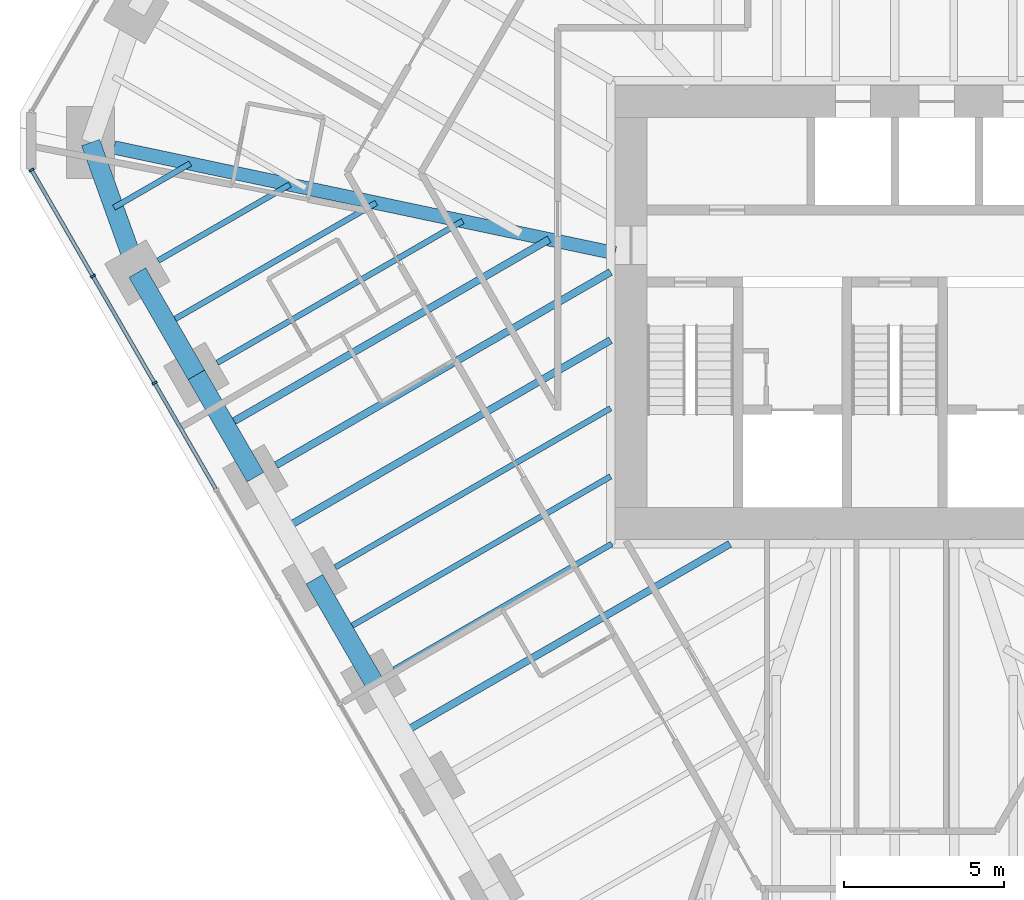
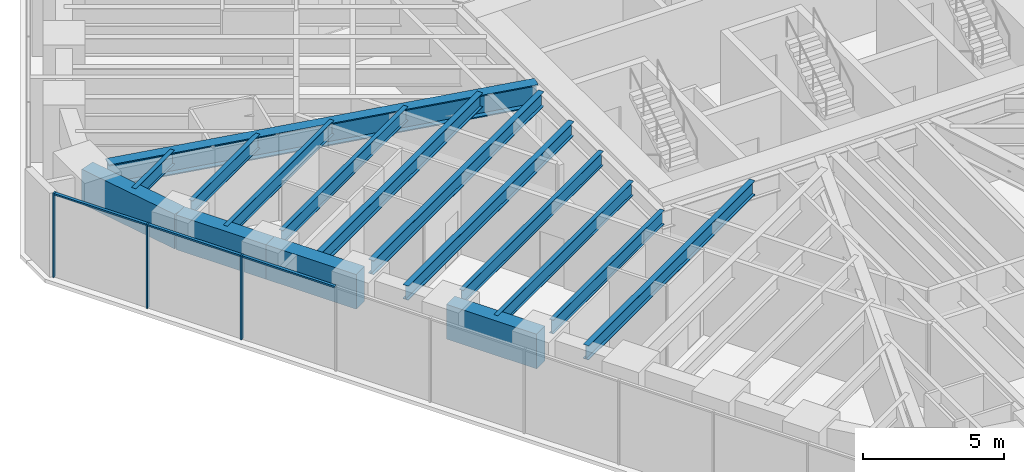
# One storey, part 3 of 16: 16 beams, 6 members, 1 element without a shape of its own.
"""IFC4 building model written with IfcOpenShell, lengths in metres."""

from ifc_helpers import new_model, si_unit, direction, frame, origin, origin_2d, place, context, subcontext, project, spatial, rectangle, i_section, extrude, material, material_profile, profile_set, type_object, element, aggregate, save


model = new_model("IFC4")

# Units and contexts
model_context = context("Model", 3, precision=1e-05, world=origin(), true_north=direction((0.0, 1.0)))
body_context = subcontext(model_context, "Body", "Model", "MODEL_VIEW")
ifc_project = project(units=[si_unit("LENGTHUNIT", "METRE"), si_unit("AREAUNIT", "SQUARE_METRE"), si_unit("VOLUMEUNIT", "CUBIC_METRE"), si_unit("PLANEANGLEUNIT", "RADIAN"), si_unit("MASSUNIT", "GRAM", prefix="KILO")], contexts=[model_context])

# Site, building, storey
site_placement = place(None, origin())
site = spatial("IfcSite", under=ifc_project, at=site_placement, CompositionType="ELEMENT")
building_placement = place(site_placement, origin())
building = spatial("IfcBuilding", under=site, at=building_placement, Name="Sandreach Pilgrim Tower", CompositionType="ELEMENT")
storey_placement = place(building_placement, frame((0.0, 0.0, 225.0)))
storey = spatial("IfcBuildingStorey", under=building, at=storey_placement, Name="L56", CompositionType="ELEMENT", Elevation=225.0)

# Curtain wall, members
ifc_material_1 = material(Name="Aluminium framed curtain wall", Category="aluminium")
curtain_wall_type = type_object("IfcCurtainWallType", Name="Upper hotel tower curtain wall", PredefinedType="NOTDEFINED", material=ifc_material_1)
curtain_wall_placement = place(storey_placement, origin())
curtain_wall = element("IfcCurtainWall", 1, at=curtain_wall_placement, inside=storey, type_object=curtain_wall_type, Name="CW-3 L56 SW", PredefinedType="NOTDEFINED")
ifc_material_2 = material(Name="Aluminium extrusion", Category="aluminium")
ifc_material_profile_1 = material_profile(ifc_material_2, rectangle(XDim=0.06494140625, YDim=0.159912109375, at=origin_2d()), Name="CW-3M 65X160")
ifc_profile_set_1 = profile_set([ifc_material_profile_1], Name="Aluminium extrusion")
member_type_1 = type_object("IfcMemberType", Name="CW-3 mullion", PredefinedType="MULLION", material=ifc_profile_set_1)
member_1_placement = place(storey_placement, frame((-23.15576171875, -2.21337890625, 0.0), z_axis=(0.0, 0.0, 1.0), x_axis=(-0.5, 0.866025403784, 0.0)))
member_1 = element("IfcMember", 2, at=member_1_placement, type_object=member_type_1, Name="CW-3 mullion 8", PredefinedType="MULLION", context=body_context, shape_type="SweptSolid", body=[
    extrude(rectangle(XDim=0.06494140625, YDim=0.159912109375, at=origin_2d()), origin(), (0.0, 0.0, 1.0), 3.639892578125),
])
member_2_placement = place(storey_placement, frame((-25.087890625, 1.13330078125, 0.0), z_axis=(0.0, 0.0, 1.0), x_axis=(-0.5, 0.866025403784, 0.0)))
member_2 = element("IfcMember", 3, at=member_2_placement, type_object=member_type_1, Name="CW-3 mullion 9", PredefinedType="MULLION", context=body_context, shape_type="SweptSolid", body=[
    extrude(rectangle(XDim=0.06494140625, YDim=0.159912109375, at=origin_2d()), origin(), (0.0, 0.0, 1.0), 3.639892578125),
])
member_3_placement = place(storey_placement, frame((-27.00390625, 4.451904296875, 0.0), z_axis=(0.0, 0.0, 1.0), x_axis=(-0.5, 0.866025403784, 0.0)))
member_3 = element("IfcMember", 4, at=member_3_placement, type_object=member_type_1, Name="CW-3 mullion 10", PredefinedType="MULLION", context=body_context, shape_type="SweptSolid", body=[
    extrude(rectangle(XDim=0.06494140625, YDim=0.159912109375, at=origin_2d()), origin(), (0.0, 0.0, 1.0), 3.639892578125),
])
ifc_material_3 = material(Name="Aluminium extrusion", Category="aluminium")
ifc_material_profile_2 = material_profile(ifc_material_3, rectangle(XDim=0.1201171875, YDim=0.070068359375, at=origin_2d()), Name="CW-3T 120X70")
ifc_profile_set_2 = profile_set([ifc_material_profile_2], Name="Aluminium extrusion")
member_type_2 = type_object("IfcMemberType", Name="CW-3 transom", PredefinedType="USERDEFINED", material=ifc_profile_set_2)
member_4_placement = place(storey_placement, frame((-21.23974609375, -5.531982421875, 3.60498046875), z_axis=(-0.499974606132, 0.866040064445, 0.0), x_axis=(-0.866040064445, -0.499974606132, 0.0)))
member_4 = element("IfcMember", 5, at=member_4_placement, type_object=member_type_2, Name="CW-3 head transom 7", ObjectType="TRANSOM", PredefinedType="USERDEFINED", context=body_context, shape_type="SweptSolid", body=[
    extrude(rectangle(XDim=0.1201171875, YDim=0.070068359375, at=origin_2d()), origin(), (0.0, 0.0, 1.0), 3.799560546875),
])
member_5_placement = place(storey_placement, frame((-23.171875, -2.185302734375, 3.60498046875), z_axis=(-0.500022797313, 0.86601224135, 0.0), x_axis=(-0.86601224135, -0.500022797313, 0.0)))
member_5 = element("IfcMember", 6, at=member_5_placement, type_object=member_type_2, Name="CW-3 head transom 8", ObjectType="TRANSOM", PredefinedType="USERDEFINED", context=body_context, shape_type="SweptSolid", body=[
    extrude(rectangle(XDim=0.1201171875, YDim=0.070068359375, at=origin_2d()), origin(), (0.0, 0.0, 1.0), 3.799560546875),
])
member_6_placement = place(storey_placement, frame((-25.104248046875, 1.161376953125, 3.60498046875), z_axis=(-0.499944992379, 0.86605716012, 0.0), x_axis=(-0.86605716012, -0.499944992379, 0.0)))
member_6 = element("IfcMember", 7, at=member_6_placement, type_object=member_type_2, Name="CW-3 head transom 9", ObjectType="TRANSOM", PredefinedType="USERDEFINED", context=body_context, shape_type="SweptSolid", body=[
    extrude(rectangle(XDim=0.1201171875, YDim=0.070068359375, at=origin_2d()), origin(), (0.0, 0.0, 1.0), 3.76708984375),
])
aggregate(curtain_wall, [member_1, member_2, member_3, member_4, member_5, member_6])

# Beams
ifc_material_4 = material(Name="Steel ASTM A992 Grade 50", Category="steel")
ifc_material_profile_3 = material_profile(ifc_material_4, i_section(OverallWidth=0.421630859375, OverallDepth=0.95751953125, WebThickness=0.02587890625, FlangeThickness=0.046875, at=origin_2d()), Name="W36X330")
ifc_profile_set_3 = profile_set([ifc_material_profile_3], Name="Steel ASTM A992 Grade 50")
beam_type_1 = type_object("IfcBeamType", Name="Corner girder W36X330", PredefinedType="BEAM", material=ifc_profile_set_3)
beam_1_placement = place(storey_placement, frame((-24.422607421875, 5.156494140625, 3.1611328125), z_axis=(0.978428978804, -0.206583478132, 0.0), x_axis=(0.206583478132, 0.978428978804, 0.0)))
element("IfcBeam", 8, at=beam_1_placement, inside=storey, type_object=beam_type_1, Name="BM L56 CG35", PredefinedType="BEAM", context=body_context, shape_type="SweptSolid", body=[
    extrude(i_section(OverallWidth=0.421630859375, OverallDepth=0.95751953125, WebThickness=0.02587890625, FlangeThickness=0.046875, at=origin_2d()), origin(), (0.0, 0.0, 1.0), 16.01806640625),
])
ifc_material_5 = material(Name="Steel ASTM A992 Grade 50", Category="steel")
ifc_material_profile_4 = material_profile(ifc_material_5, i_section(OverallWidth=0.1787109375, OverallDepth=0.60205078125, WebThickness=0.010986328125, FlangeThickness=0.014892578125, at=origin_2d()), Name="W24X62")
ifc_profile_set_4 = profile_set([ifc_material_profile_4], Name="Steel ASTM A992 Grade 50")
beam_type_2 = type_object("IfcBeamType", Name="Floor beam W24X62", PredefinedType="BEAM", material=ifc_profile_set_4)
beam_2_placement = place(storey_placement, frame((-15.661376953125, -11.173828125, 3.339111328125), z_axis=(0.866038711524, 0.49997694961, 0.0), x_axis=(-0.49997694961, 0.866038711524, 0.0)))
element("IfcBeam", 9, at=beam_2_placement, inside=storey, type_object=beam_type_2, Name="BM L56 F30", PredefinedType="BEAM", context=body_context, shape_type="SweptSolid", body=[
    extrude(i_section(OverallWidth=0.1787109375, OverallDepth=0.60205078125, WebThickness=0.010986328125, FlangeThickness=0.014892578125, at=origin_2d()), origin(), (0.0, 0.0, 1.0), 7.861083984375),
])
beam_3_placement = place(storey_placement, frame((-17.507568359375, -7.97607421875, 3.339111328125), z_axis=(0.866027815265, 0.499995823171, 0.0), x_axis=(-0.499995823171, 0.866027815265, 0.0)))
element("IfcBeam", 10, at=beam_3_placement, inside=storey, type_object=beam_type_2, Name="BM L56 F31", PredefinedType="BEAM", context=body_context, shape_type="SweptSolid", body=[
    extrude(i_section(OverallWidth=0.1787109375, OverallDepth=0.60205078125, WebThickness=0.010986328125, FlangeThickness=0.014892578125, at=origin_2d()), origin(), (0.0, 0.0, 1.0), 9.94677734375),
])
beam_4_placement = place(storey_placement, frame((-21.2001953125, -1.58056640625, 3.339111328125), z_axis=(0.866027448082, 0.499996459156, 0.0), x_axis=(-0.499996459156, 0.866027448082, 0.0)))
element("IfcBeam", 11, at=beam_4_placement, inside=storey, type_object=beam_type_2, Name="BM L56 F33", PredefinedType="BEAM", context=body_context, shape_type="SweptSolid", body=[
    extrude(i_section(OverallWidth=0.1787109375, OverallDepth=0.60205078125, WebThickness=0.010986328125, FlangeThickness=0.014892578125, at=origin_2d()), origin(), (0.0, 0.0, 1.0), 8.86962890625),
])
beam_5_placement = place(storey_placement, frame((-23.04638671875, 1.6171875, 3.339111328125), z_axis=(0.86603347311, 0.499986023258, 0.0), x_axis=(-0.499986023258, 0.86603347311, 0.0)))
element("IfcBeam", 12, at=beam_5_placement, inside=storey, type_object=beam_type_2, Name="BM L56 F34", PredefinedType="BEAM", context=body_context, shape_type="SweptSolid", body=[
    extrude(i_section(OverallWidth=0.1787109375, OverallDepth=0.60205078125, WebThickness=0.010986328125, FlangeThickness=0.014892578125, at=origin_2d()), origin(), (0.0, 0.0, 1.0), 4.757568359375),
])
beam_6_placement = place(storey_placement, frame((-17.23388671875, -9.949951171875, 3.339111328125), z_axis=(0.866025593094, 0.499999672107, 0.0), x_axis=(-0.499999672107, 0.866025593094, 0.0)))
element("IfcBeam", 13, at=beam_6_placement, inside=storey, type_object=beam_type_2, Name="BM L56 FM30", PredefinedType="BEAM", context=body_context, shape_type="SweptSolid", body=[
    extrude(i_section(OverallWidth=0.1787109375, OverallDepth=0.60205078125, WebThickness=0.010986328125, FlangeThickness=0.014892578125, at=origin_2d()), origin(), (0.0, 0.0, 1.0), 9.630859375),
])
beam_7_placement = place(storey_placement, frame((-22.772705078125, -0.356689453125, 3.339111328125), z_axis=(0.866029704776, 0.49999255039, 0.0), x_axis=(-0.49999255039, 0.866029704776, 0.0)))
element("IfcBeam", 14, at=beam_7_placement, inside=storey, type_object=beam_type_2, Name="BM L56 FM33", PredefinedType="BEAM", context=body_context, shape_type="SweptSolid", body=[
    extrude(i_section(OverallWidth=0.1787109375, OverallDepth=0.60205078125, WebThickness=0.010986328125, FlangeThickness=0.014892578125, at=origin_2d()), origin(), (0.0, 0.0, 1.0), 7.5634765625),
])
beam_8_placement = place(storey_placement, frame((-24.42626953125, 3.27685546875, 3.339111328125), z_axis=(0.866046803606, 0.49996293259, 0.0), x_axis=(-0.49996293259, 0.866046803606, 0.0)))
element("IfcBeam", 15, at=beam_8_placement, inside=storey, type_object=beam_type_2, Name="BM L56 FM34", PredefinedType="BEAM", context=body_context, shape_type="SweptSolid", body=[
    extrude(i_section(OverallWidth=0.1787109375, OverallDepth=0.60205078125, WebThickness=0.010986328125, FlangeThickness=0.014892578125, at=origin_2d()), origin(), (0.0, 0.0, 1.0), 2.753662109375),
])
ifc_material_6 = material(Name="Steel ASTM A992 Grade 50", Category="steel")
ifc_material_profile_5 = material_profile(ifc_material_6, i_section(OverallWidth=0.23046875, OverallDepth=0.6171875, WebThickness=0.01318359375, FlangeThickness=0.022216796875, at=origin_2d()), Name="W24X94")
ifc_profile_set_5 = profile_set([ifc_material_profile_5], Name="Steel ASTM A992 Grade 50")
beam_type_3 = type_object("IfcBeamType", Name="Floor beam W24X94", PredefinedType="BEAM", material=ifc_profile_set_5)
beam_9_placement = place(storey_placement, frame((-19.353759765625, -4.7783203125, 3.331298828125), z_axis=(0.866026713419, 0.49999773164, 0.0), x_axis=(-0.49999773164, 0.866026713419, 0.0)))
element("IfcBeam", 16, at=beam_9_placement, inside=storey, type_object=beam_type_3, Name="BM L56 F32", PredefinedType="BEAM", context=body_context, shape_type="SweptSolid", body=[
    extrude(i_section(OverallWidth=0.23046875, OverallDepth=0.6171875, WebThickness=0.01318359375, FlangeThickness=0.022216796875, at=origin_2d()), origin(), (0.0, 0.0, 1.0), 12.07861328125),
])
beam_10_placement = place(storey_placement, frame((-15.3876953125, -13.14794921875, 3.331298828125), z_axis=(0.866022050506, 0.500005808004, 0.0), x_axis=(-0.500005808004, 0.866022050506, 0.0)))
element("IfcBeam", 17, at=beam_10_placement, inside=storey, type_object=beam_type_3, Name="BM L56 FM29", PredefinedType="BEAM", context=body_context, shape_type="SweptSolid", body=[
    extrude(i_section(OverallWidth=0.23046875, OverallDepth=0.6171875, WebThickness=0.01318359375, FlangeThickness=0.022216796875, at=origin_2d()), origin(), (0.0, 0.0, 1.0), 11.808837890625),
])
beam_11_placement = place(storey_placement, frame((-19.080322265625, -6.752197265625, 3.331298828125), z_axis=(0.866030053141, 0.499991946992, 0.0), x_axis=(-0.499991946992, 0.866030053141, 0.0)))
element("IfcBeam", 18, at=beam_11_placement, inside=storey, type_object=beam_type_3, Name="BM L56 FM31", PredefinedType="BEAM", context=body_context, shape_type="SweptSolid", body=[
    extrude(i_section(OverallWidth=0.23046875, OverallDepth=0.6171875, WebThickness=0.01318359375, FlangeThickness=0.022216796875, at=origin_2d()), origin(), (0.0, 0.0, 1.0), 11.762939453125),
])
beam_12_placement = place(storey_placement, frame((-20.926513671875, -3.554443359375, 3.331298828125), z_axis=(0.866026454974, 0.499998179282, 0.0), x_axis=(-0.499998179282, 0.866026454974, 0.0)))
element("IfcBeam", 19, at=beam_12_placement, inside=storey, type_object=beam_type_3, Name="BM L56 FM32", PredefinedType="BEAM", context=body_context, shape_type="SweptSolid", body=[
    extrude(i_section(OverallWidth=0.23046875, OverallDepth=0.6171875, WebThickness=0.01318359375, FlangeThickness=0.022216796875, at=origin_2d()), origin(), (0.0, 0.0, 1.0), 11.67578125),
])
ifc_material_7 = material(Name="Concrete 10000 psi", Category="concrete")
ifc_material_profile_6 = material_profile(ifc_material_7, rectangle(XDim=0.60009765625, YDim=1.5, at=origin_2d()), Name="RC600X1500")
ifc_profile_set_6 = profile_set([ifc_material_profile_6], Name="Concrete 10000 psi")
beam_type_4 = type_object("IfcBeamType", Name="Spandrel beam RC600X1500", PredefinedType="SPANDREL", material=ifc_profile_set_6)
beam_13_placement = place(storey_placement, frame((-16.310791015625, -11.548828125, 2.889892578125), z_axis=(-0.500042951019, 0.866000604582, 0.0), x_axis=(-0.866000604582, -0.500042951019, 0.0)))
element("IfcBeam", 20, at=beam_13_placement, inside=storey, type_object=beam_type_4, Name="BM L56 SP30", PredefinedType="SPANDREL", context=body_context, shape_type="SweptSolid", body=[
    extrude(rectangle(XDim=0.60009765625, YDim=1.5, at=origin_2d()), origin(), (0.0, 0.0, 1.0), 3.692626953125),
])
for number, where, z_axis, x_axis, name in (
    (21, (-20.00341796875, -5.1533203125, 2.889892578125), (-0.499993363642, 0.866029235253, 0.0), (-0.866029235253, -0.499993363642, 0.0), "BM L56 SP32"),
    (22, (-21.849609375, -1.95556640625, 2.889892578125), (-0.499993363642, 0.866029235253, 0.0), (-0.866029235253, -0.499993363642, 0.0), "BM L56 SP33"),
):
    element("IfcBeam", number, at=place(storey_placement, frame(where, z_axis=z_axis, x_axis=x_axis)), inside=storey, type_object=beam_type_4, Name=name, PredefinedType="SPANDREL", context=body_context, shape_type="SweptSolid", body=[
        extrude(rectangle(XDim=0.60009765625, YDim=1.5, at=origin_2d()), origin(), (0.0, 0.0, 1.0), 3.6923828125),
    ])
beam_14_placement = place(storey_placement, frame((-23.69580078125, 1.2421875, 2.889892578125), z_axis=(-0.337863470932, 0.941195131208, 0.0), x_axis=(-0.941195131208, -0.337863470932, 0.0)))
element("IfcBeam", 23, at=beam_14_placement, inside=storey, type_object=beam_type_4, Name="BM L56 SP34", PredefinedType="SPANDREL", context=body_context, shape_type="SweptSolid", body=[
    extrude(rectangle(XDim=0.60009765625, YDim=1.5, at=origin_2d()), origin(), (0.0, 0.0, 1.0), 4.3232421875),
])

save(model, "model.ifc")
